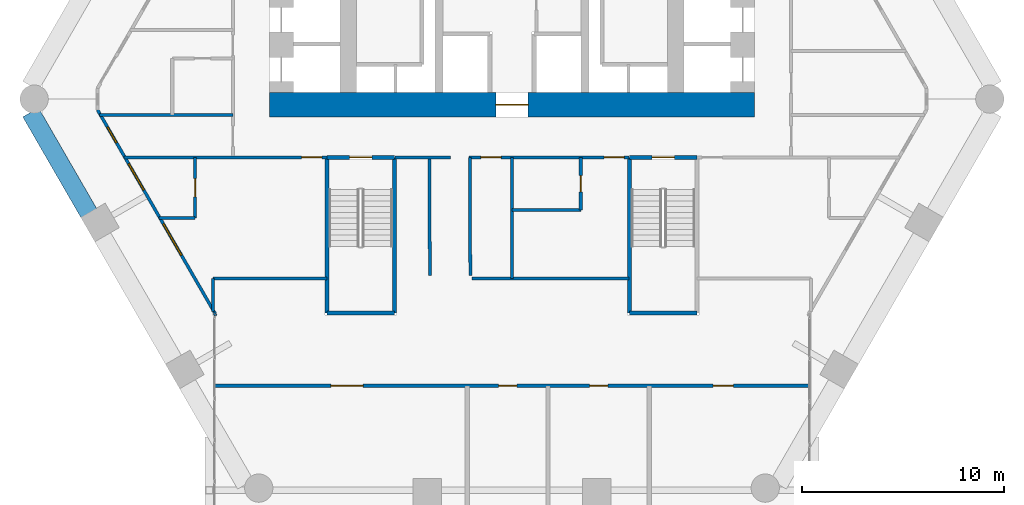
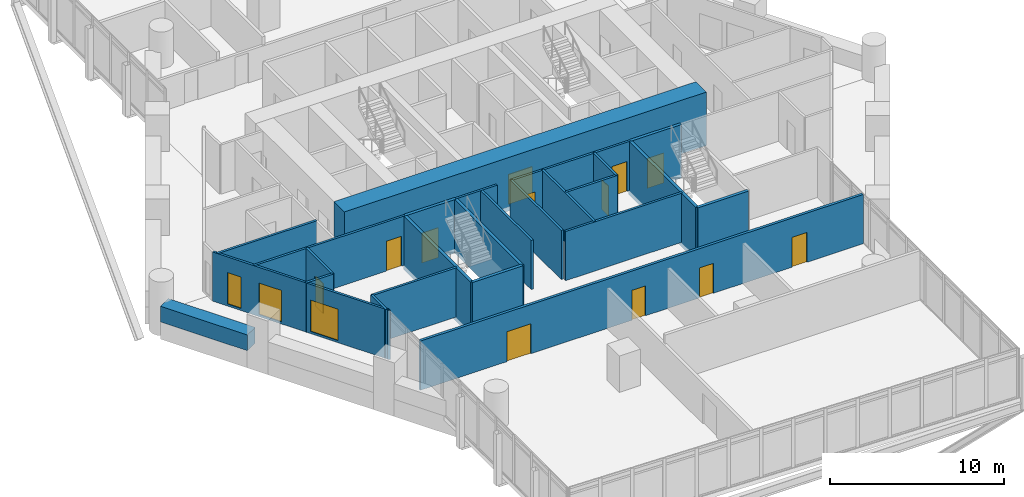
# One storey, part 30 of 38: 26 walls, 12 doors, 3 windows, 15 openings.
"""IFC4 building model written with IfcOpenShell, lengths in metres."""

import ifcopenshell
import ifcopenshell.guid

model = None  # the IFC model being written
_history = None  # IfcOwnerHistory: only IFC2X3 demands one
_inside = {}  # id of a spatial element -> (the spatial element, [elements in it])
_under = {}  # id of a project, library or spatial element -> (it, [spatial elements below it])
_declared = {}  # id of a project -> (the project, [libraries it declares])
_typed = {}  # id of a type object -> (the type object, [elements of that type])
_made_of = {}  # id of a material, layer set ... -> (it, [elements and type objects made of it])


def new_model(schema):
    """Start an empty IFC model of exactly this schema.

    Asked for "IFC4X3", IfcOpenShell would pick the latest addendum, in which some entities
    have other attributes; the version numbers below select the first issue.
    IFC2X3 requires an IfcOwnerHistory on every rooted entity: one is made here for all.
    """
    global model, _history
    if schema == "IFC4X3":
        model = ifcopenshell.file(schema_version=(4, 3, 0, 0))
    else:
        model = ifcopenshell.file(schema=schema)
    _inside.clear()
    _under.clear()
    _declared.clear()
    _typed.clear()
    _made_of.clear()
    _history = None
    if model.schema == "IFC2X3":
        org = make("IfcOrganization", Name="unknown")
        user = make(
            "IfcPersonAndOrganization",
            ThePerson=make("IfcPerson", FamilyName="unknown"),
            TheOrganization=org,
        )
        app = make(
            "IfcApplication",
            ApplicationDeveloper=org,
            Version="unknown",
            ApplicationFullName="unknown",
            ApplicationIdentifier="unknown",
        )
        _history = make(
            "IfcOwnerHistory",
            OwningUser=user,
            OwningApplication=app,
            ChangeAction="ADDED",
            CreationDate=0,
        )
    return model


def make(cls, **values):
    """One entity of the class cls with the attributes given. An attribute that is None is left unset."""
    return model.create_entity(
        cls, **{name: value for name, value in values.items() if value is not None}
    )


def rooted(cls, **values):
    """An entity with a GlobalId (a new one), such as an element, a storey or a relation."""
    return make(cls, GlobalId=ifcopenshell.guid.new(), OwnerHistory=_history, **values)


def si_unit(unit_type, name, prefix=None):
    """IfcSIUnit, for example si_unit("LENGTHUNIT", "METRE", prefix="MILLI")."""
    return make("IfcSIUnit", UnitType=unit_type, Prefix=prefix, Name=name)


def assignment(units):
    """IfcUnitAssignment: the units of a project."""
    return None if units is None else make("IfcUnitAssignment", Units=units)


def point(xyz):
    """IfcCartesianPoint."""
    return None if xyz is None else make("IfcCartesianPoint", Coordinates=xyz)


def direction(xyz):
    """IfcDirection."""
    return None if xyz is None else make("IfcDirection", DirectionRatios=xyz)


def frame(location, z_axis=None, x_axis=None):
    """IfcAxis2Placement3D, a coordinate frame: its origin and axes. An axis left out is left unset."""
    return make(
        "IfcAxis2Placement3D",
        Location=point(location),
        Axis=direction(z_axis),
        RefDirection=direction(x_axis),
    )


def frame_2d(location, x_axis=None):
    """IfcAxis2Placement2D, a coordinate frame in the plane: its origin and x axis."""
    return make(
        "IfcAxis2Placement2D", Location=point(location), RefDirection=direction(x_axis)
    )


def origin():
    """The frame at (0, 0, 0) with its axes left unset."""
    return frame((0.0, 0.0, 0.0))


def place(relative_to, where):
    """IfcLocalPlacement: puts the frame where relative to a parent placement (None: the world)."""
    return make(
        "IfcLocalPlacement", PlacementRelTo=relative_to, RelativePlacement=where
    )


def context(
    kind, dimensions, precision=None, world=None, true_north=None, identifier=None
):
    """IfcGeometricRepresentationContext, for example the 3D "Model" context."""
    return make(
        "IfcGeometricRepresentationContext",
        ContextIdentifier=identifier,
        ContextType=kind,
        CoordinateSpaceDimension=dimensions,
        Precision=precision,
        WorldCoordinateSystem=world,
        TrueNorth=true_north,
    )


def subcontext(parent, identifier, kind, view, scale=None):
    """IfcGeometricRepresentationSubContext, for example "Body" below "Model"."""
    return make(
        "IfcGeometricRepresentationSubContext",
        ContextIdentifier=identifier,
        ContextType=kind,
        ParentContext=parent,
        TargetScale=scale,
        TargetView=view,
    )


def project(units=None, contexts=None):
    """IfcProject with its units and contexts."""
    return rooted(
        "IfcProject",
        Name="project",
        RepresentationContexts=contexts,
        UnitsInContext=assignment(units),
    )


def spatial(cls, under=None, at=None, **own):
    """A site, building, storey or space (cls), placed at a placement, below another one or the project."""
    s = rooted(cls, ObjectPlacement=at, **own)
    if under is not None:
        _under.setdefault(under.id(), (under, []))[1].append(s)
    return s


def profile(cls, at=None, kind="AREA", **sizes):
    """A parametric profile (cls). Its sizes go by their IFC names, for example OverallWidth=200.0."""
    return make(cls, ProfileType=kind, Position=at, **sizes)


def rectangle(**sizes):
    """IfcRectangleProfileDef."""
    return profile("IfcRectangleProfileDef", **sizes)


def extrude(swept, where, along, depth):
    """IfcExtrudedAreaSolid: the profile swept, set in the frame where, extruded along a direction by depth."""
    return make(
        "IfcExtrudedAreaSolid",
        SweptArea=swept,
        Position=where,
        ExtrudedDirection=direction(along),
        Depth=depth,
    )


def shape(context_of_items, identifier, shape_type, items):
    """IfcShapeRepresentation: the items that make up one representation, for example the "Body"."""
    return make(
        "IfcShapeRepresentation",
        ContextOfItems=context_of_items,
        RepresentationIdentifier=identifier,
        RepresentationType=shape_type,
        Items=items,
    )


def material(Name=None, Category=None):
    """IfcMaterial."""
    return make("IfcMaterial", Name=Name, Category=Category)


def layer(
    of_material, thickness, ventilated=None, Name=None, Category=None, Priority=None
):
    """IfcMaterialLayer: one layer of a wall or slab, of a material (None: an air gap)."""
    return make(
        "IfcMaterialLayer",
        Material=of_material,
        LayerThickness=thickness,
        IsVentilated=ventilated,
        Name=Name,
        Category=Category,
        Priority=Priority,
    )


def layer_set(layers, Name=None):
    """IfcMaterialLayerSet."""
    return make("IfcMaterialLayerSet", MaterialLayers=layers, LayerSetName=Name)


def made_of(thing, what):
    """Note that an element or type object is made of a material, layer set ...; save() writes the relation."""
    if what is not None:
        _made_of.setdefault(what.id(), (what, []))[1].append(thing)
    return thing


def type_object(cls, material=None, **own):
    """A type object (cls), such as IfcWallType, which elements share."""
    return made_of(rooted(cls, **own), material)


def element(
    cls,
    number,
    at=None,
    inside=None,
    cuts=None,
    type_object=None,
    material=None,
    context=None,
    identifier="Body",
    shape_type=None,
    held_by="IfcProductDefinitionShape",
    body=None,
    shapes=None,
    **own,
):
    """One element of the class cls, such as IfcWall. Its Tag is "e" and its number.

    at: its placement. inside: the storey or other place that contains it. cuts: it is an
    opening in that element (IfcRelVoidsElement). A single representation is given by context,
    identifier, shape_type and body (its items); several are given by shapes. held_by: the class
    of the entity that holds the representations. save() writes the other relations.
    """
    e = rooted(cls, Tag="e%d" % number, ObjectPlacement=at, **own)
    if body is not None:
        shapes = [shape(context, identifier, shape_type, body)]
    if shapes is not None:
        e.Representation = make(held_by, Representations=shapes)
    if inside is not None:
        _inside.setdefault(inside.id(), (inside, []))[1].append(e)
    if cuts is not None:
        rooted(
            "IfcRelVoidsElement", RelatingBuildingElement=cuts, RelatedOpeningElement=e
        )
    if type_object is not None:
        _typed.setdefault(type_object.id(), (type_object, []))[1].append(e)
    return made_of(e, material)


def fill(opening, filler):
    """IfcRelFillsElement: the door or window that sits in an opening."""
    return rooted(
        "IfcRelFillsElement",
        RelatingOpeningElement=opening,
        RelatedBuildingElement=filler,
    )


def aggregate(whole, parts):
    """IfcRelAggregates: a whole, such as a stair, and the parts it consists of."""
    return rooted("IfcRelAggregates", RelatingObject=whole, RelatedObjects=parts)


def save(model, path):
    """Write the relations noted so far, then the file.

    IfcRelAggregates (storeys below a building ...), IfcRelContainedInSpatialStructure (elements
    in a storey), IfcRelDefinesByType, IfcRelAssociatesMaterial and IfcRelDeclares: one each for
    every whole, place, type object, material and project.
    """
    for whole, parts in _under.values():
        aggregate(whole, parts)
    for where, things in _inside.values():
        rooted(
            "IfcRelContainedInSpatialStructure",
            RelatedElements=things,
            RelatingStructure=where,
        )
    for kind, things in _typed.values():
        rooted("IfcRelDefinesByType", RelatedObjects=things, RelatingType=kind)
    for what, things in _made_of.values():
        rooted("IfcRelAssociatesMaterial", RelatedObjects=things, RelatingMaterial=what)
    for by, libraries in _declared.values():
        rooted("IfcRelDeclares", RelatingContext=by, RelatedDefinitions=libraries)
    model.write(path)


model = new_model("IFC4")

# Units and contexts
model_context = context("Model", 3, precision=1e-05, world=origin(), true_north=direction((0.0, 1.0)))
body_context = subcontext(model_context, "Body", "Model", "MODEL_VIEW")
ifc_project = project(units=[si_unit("LENGTHUNIT", "METRE"), si_unit("AREAUNIT", "SQUARE_METRE"), si_unit("VOLUMEUNIT", "CUBIC_METRE"), si_unit("PLANEANGLEUNIT", "RADIAN"), si_unit("MASSUNIT", "GRAM", prefix="KILO")], contexts=[model_context])

# Site, building, storey
site_placement = place(None, origin())
site = spatial("IfcSite", under=ifc_project, at=site_placement, CompositionType="ELEMENT")
building_placement = place(site_placement, origin())
building = spatial("IfcBuilding", under=site, at=building_placement, Name="Ostrander Bayou Hotel Tower", CompositionType="ELEMENT")
storey_placement = place(building_placement, frame((0.0, 0.0, 65.5)))
storey = spatial("IfcBuildingStorey", under=building, at=storey_placement, Name="L16", CompositionType="ELEMENT", Elevation=65.5)

# Wall, opening, door
ifc_material_1 = material(Name="Concrete f'c 70 MPa", Category="concrete")
ifc_layer_1 = layer(ifc_material_1, 1.199951171875)
ifc_layer_set_1 = layer_set([ifc_layer_1], Name="CW1 core wall 1200 mm f'c 70 MPa")
wall_type_1 = type_object("IfcWallType", Name="CW1 core wall 1200 mm f'c 70 MPa", PredefinedType="SHEAR", material=ifc_layer_set_1)
wall_1_placement = place(storey_placement, frame((-12.0, -1.10009765625, -0.300048828125), z_axis=(0.0, 0.0, 1.0), x_axis=(1.0, 0.0, 0.0)))
wall_1 = element("IfcWall", 1, at=wall_1_placement, inside=storey, type_object=wall_type_1, Name="CW1 L16 S", PredefinedType="SHEAR", context=body_context, shape_type="SweptSolid", body=[
    extrude(rectangle(XDim=24.0, YDim=1.199951171875, at=frame_2d((12.0, 0.0))), origin(), (0.0, 0.0, 1.0), 3.75),
])
opening_1_placement = place(wall_1_placement, frame((11.199951171875, 0.0, 0.0)))
opening_1 = element("IfcOpeningElement", 2, at=opening_1_placement, cuts=wall_1, Name="Opening T16-001", PredefinedType="OPENING", context=body_context, shape_type="SweptSolid", body=[
    extrude(rectangle(XDim=1.60009765625, YDim=2.10009765625, at=frame_2d((0.800048828125, 1.050048828125))), frame((0.0, 0.60009765625, 0.0), z_axis=(0.0, -1.0, 0.0), x_axis=(1.0, 0.0, 0.0)), (0.0, 0.0, 1.0), 1.199951171875),
])
ifc_material_2 = material(Name="Timber door leaf", Category="wood")
door_type_1 = type_object("IfcDoorType", Name="D13 double door 1600 x 2100 mm, 1 hour", OperationType="SINGLE_SWING_LEFT", PredefinedType="DOOR", material=ifc_material_2)
door_1_placement = place(opening_1_placement, origin())
door_1 = element("IfcDoor", 3, at=door_1_placement, inside=storey, type_object=door_type_1, Name="dr:L16:001", OperationType="DOUBLE_DOOR_SINGLE_SWING", OverallHeight=2.10009765625, OverallWidth=1.60009765625, PredefinedType="DOOR", context=body_context, shape_type="SweptSolid", body=[
    extrude(rectangle(XDim=1.60009765625, YDim=2.10009765625, at=frame_2d((0.800048828125, 1.050048828125))), frame((0.0, 0.02490234375, 0.0), z_axis=(0.0, -1.0, 0.0), x_axis=(1.0, 0.0, 0.0)), (0.0, 0.0, 1.0), 0.050048828125),
])
fill(opening_1, door_1)

# Wall, openings, windows
ifc_material_3 = material(Name="Aluminium framed insulated wall", Category="aluminium")
ifc_layer_2 = layer(ifc_material_3, 0.14990234375)
ifc_layer_set_2 = layer_set([ifc_layer_2], Name="GW1 glass-line wall 150 mm")
wall_type_2 = type_object("IfcWallType", Name="GW1 glass-line wall 150 mm", PredefinedType="SOLIDWALL", material=ifc_layer_set_2)
wall_2_placement = place(storey_placement, frame((-20.49560546875, -1.350830078125, 0.0), z_axis=(0.0, 0.0, 1.0), x_axis=(0.500010091595, -0.866019577321, 0.0)))
wall_2 = element("IfcWall", 4, at=wall_2_placement, inside=storey, type_object=wall_type_2, Name="GW1 L16 SW 1", PredefinedType="SOLIDWALL", context=body_context, shape_type="SweptSolid", body=[
    extrude(rectangle(XDim=11.633056640625, YDim=0.14990234375, at=frame_2d((5.81640625, 0.0))), origin(), (0.0, 0.0, 1.0), 3.449951171875),
])
opening_2_placement = place(wall_2_placement, frame((0.97802734375, 0.0, 0.14990234375)))
opening_2 = element("IfcOpeningElement", 5, at=opening_2_placement, cuts=wall_2, Name="Opening W15", PredefinedType="OPENING", context=body_context, shape_type="SweptSolid", body=[
    extrude(rectangle(XDim=0.89990234375, YDim=2.199951171875, at=frame_2d((0.449951171875, 1.10009765625))), frame((0.0, 0.074951171875, 0.0), z_axis=(0.0, -1.0, 0.0), x_axis=(1.0, 0.0, 0.0)), (0.0, 0.0, 1.0), 0.14990234375),
])
opening_3_placement = place(wall_2_placement, frame((3.077880859375, 0.0, 0.14990234375)))
opening_3 = element("IfcOpeningElement", 6, at=opening_3_placement, cuts=wall_2, Name="Opening W11", PredefinedType="OPENING", context=body_context, shape_type="SweptSolid", body=[
    extrude(rectangle(XDim=1.5, YDim=2.199951171875, at=frame_2d((0.75, 1.10009765625))), frame((0.0, 0.074951171875, 0.0), z_axis=(0.0, -1.0, 0.0), x_axis=(1.0, 0.0, 0.0)), (0.0, 0.0, 1.0), 0.14990234375),
])
opening_4_placement = place(wall_2_placement, frame((6.500732421875, 0.0, 0.14990234375)))
opening_4 = element("IfcOpeningElement", 7, at=opening_4_placement, cuts=wall_2, Name="Opening W7", PredefinedType="OPENING", context=body_context, shape_type="SweptSolid", body=[
    extrude(rectangle(XDim=1.800048828125, YDim=2.199951171875, at=frame_2d((0.89990234375, 1.10009765625))), frame((0.0, 0.074951171875, 0.0), z_axis=(0.0, -1.0, 0.0), x_axis=(1.0, 0.0, 0.0)), (0.0, 0.0, 1.0), 0.14990234375),
])
ifc_material_4 = material(Name="Aluminium and clear glass", Category="aluminium")
window_type_1 = type_object("IfcWindowType", Name="W11 fixed window 1500 mm, bath bay, zone 1", PartitioningType="SINGLE_PANEL", PredefinedType="WINDOW", material=ifc_material_4)
window_1_placement = place(opening_3_placement, origin())
window_1 = element("IfcWindow", 8, at=window_1_placement, inside=storey, type_object=window_type_1, Name="W11 L16 SW 1", OverallHeight=2.199951171875, OverallWidth=1.5, PartitioningType="SINGLE_PANEL", PredefinedType="WINDOW", context=body_context, shape_type="SweptSolid", body=[
    extrude(rectangle(XDim=1.5, YDim=2.199951171875, at=frame_2d((0.75, 1.10009765625))), frame((0.0, 0.030029296875, 0.0), z_axis=(0.0, -1.0, 0.0), x_axis=(1.0, 0.0, 0.0)), (0.0, 0.0, 1.0), 0.06005859375),
])
fill(opening_3, window_1)
ifc_material_5 = material(Name="Aluminium and clear glass", Category="aluminium")
window_type_2 = type_object("IfcWindowType", Name="W15 window 900 mm, zone 1", PartitioningType="SINGLE_PANEL", PredefinedType="WINDOW", material=ifc_material_5)
window_2_placement = place(opening_2_placement, origin())
window_2 = element("IfcWindow", 9, at=window_2_placement, inside=storey, type_object=window_type_2, Name="W15 L16 SW 1", OverallHeight=2.199951171875, OverallWidth=0.89990234375, PartitioningType="SINGLE_PANEL", PredefinedType="WINDOW", context=body_context, shape_type="SweptSolid", body=[
    extrude(rectangle(XDim=0.89990234375, YDim=2.199951171875, at=frame_2d((0.449951171875, 1.10009765625))), frame((0.0, 0.030029296875, 0.0), z_axis=(0.0, -1.0, 0.0), x_axis=(1.0, 0.0, 0.0)), (0.0, 0.0, 1.0), 0.06005859375),
])
fill(opening_2, window_2)
ifc_material_6 = material(Name="Aluminium and clear glass", Category="aluminium")
window_type_3 = type_object("IfcWindowType", Name="W7 fixed window 1800 mm, bar storeys, zone 1", PartitioningType="SINGLE_PANEL", PredefinedType="WINDOW", material=ifc_material_6)
window_3_placement = place(opening_4_placement, origin())
window_3 = element("IfcWindow", 10, at=window_3_placement, inside=storey, type_object=window_type_3, Name="W7 L16 SW 2", OverallHeight=2.199951171875, OverallWidth=1.800048828125, PartitioningType="SINGLE_PANEL", PredefinedType="WINDOW", context=body_context, shape_type="SweptSolid", body=[
    extrude(rectangle(XDim=1.800048828125, YDim=2.199951171875, at=frame_2d((0.89990234375, 1.10009765625))), frame((0.0, 0.030029296875, 0.0), z_axis=(0.0, -1.0, 0.0), x_axis=(1.0, 0.0, 0.0)), (0.0, 0.0, 1.0), 0.06005859375),
])
fill(opening_4, window_3)

# Walls
wall_3_placement = place(storey_placement, frame((-14.678955078125, -11.42529296875, 0.0), z_axis=(0.0, 0.0, 1.0), x_axis=(-0.338543167143, -0.940950861619, 0.0)))
element("IfcWall", 11, at=wall_3_placement, inside=storey, type_object=wall_type_2, Name="GW1 L16 bar joint 1", PredefinedType="SOLIDWALL", context=body_context, shape_type="SweptSolid", body=[
    extrude(rectangle(XDim=0.09814453125, YDim=0.14990234375, at=frame_2d((0.049072265625, 0.0))), origin(), (0.0, 0.0, 1.0), 3.449951171875),
])
ifc_material_7 = material(Name="Limestone masonry", Category="masonry")
ifc_layer_3 = layer(ifc_material_7, 0.89990234375)
ifc_layer_set_3 = layer_set([ifc_layer_3], Name="PA2 limestone parapet 900 mm")
wall_type_3 = type_object("IfcWallType", Name="PA2 limestone parapet 900 mm", PredefinedType="PARAPET", material=ifc_layer_set_3)
wall_4_placement = place(storey_placement, frame((-23.8017578125, -1.47412109375, 0.0), z_axis=(0.0, 0.0, 1.0), x_axis=(0.499996461177, -0.866027446915, 0.0)))
element("IfcWall", 12, at=wall_4_placement, inside=storey, type_object=wall_type_3, Name="PA2 L16 SW-1", PredefinedType="PARAPET", context=body_context, shape_type="SweptSolid", body=[
    extrude(rectangle(XDim=5.7587890625, YDim=0.89990234375, at=frame_2d((2.87939453125, 0.0))), origin(), (0.0, 0.0, 1.0), 1.10009765625),
])

# Wall, openings, doors
ifc_material_8 = material(Name="Gypsum board partition", Category="finish")
ifc_layer_4 = layer(ifc_material_8, 0.175048828125)
ifc_layer_set_4 = layer_set([ifc_layer_4], Name="PT4 corridor wall 175 mm, 1 hour")
wall_type_4 = type_object("IfcWallType", Name="PT4 corridor wall 175 mm, 1 hour", PredefinedType="PARTITIONING", material=ifc_layer_set_4)
wall_5_placement = place(storey_placement, frame((-14.693115234375, -15.0, 0.0), z_axis=(0.0, 0.0, 1.0), x_axis=(1.0, 0.0, 0.0)))
wall_5 = element("IfcWall", 13, at=wall_5_placement, inside=storey, type_object=wall_type_4, Name="sw:L16:500", PredefinedType="PARTITIONING", context=body_context, shape_type="SweptSolid", body=[
    extrude(rectangle(XDim=29.38623046875, YDim=0.175048828125, at=frame_2d((14.693115234375, 0.0))), origin(), (0.0, 0.0, 1.0), 3.449951171875),
])
opening_5_placement = place(wall_5_placement, frame((14.030517578125, 0.0, 0.0)))
opening_5 = element("IfcOpeningElement", 14, at=opening_5_placement, cuts=wall_5, Name="Opening T16-1200", PredefinedType="OPENING", context=body_context, shape_type="SweptSolid", body=[
    extrude(rectangle(XDim=0.89990234375, YDim=2.10009765625, at=frame_2d((0.449951171875, 1.050048828125))), frame((0.0, 0.08740234375, 0.0), z_axis=(0.0, -1.0, 0.0), x_axis=(1.0, 0.0, 0.0)), (0.0, 0.0, 1.0), 0.175048828125),
])
opening_6_placement = place(wall_5_placement, frame((18.530517578125, 0.0, 0.0)))
opening_6 = element("IfcOpeningElement", 15, at=opening_6_placement, cuts=wall_5, Name="Opening T16-1201", PredefinedType="OPENING", context=body_context, shape_type="SweptSolid", body=[
    extrude(rectangle(XDim=0.89990234375, YDim=2.10009765625, at=frame_2d((0.449951171875, 1.050048828125))), frame((0.0, 0.08740234375, 0.0), z_axis=(0.0, -1.0, 0.0), x_axis=(1.0, 0.0, 0.0)), (0.0, 0.0, 1.0), 0.175048828125),
])
opening_7_placement = place(wall_5_placement, frame((24.637939453125, 0.0, 0.0)))
opening_7 = element("IfcOpeningElement", 16, at=opening_7_placement, cuts=wall_5, Name="Opening T16-1202", PredefinedType="OPENING", context=body_context, shape_type="SweptSolid", body=[
    extrude(rectangle(XDim=1.0, YDim=2.10009765625, at=frame_2d((0.5, 1.050048828125))), frame((0.0, 0.08740234375, 0.0), z_axis=(0.0, -1.0, 0.0), x_axis=(1.0, 0.0, 0.0)), (0.0, 0.0, 1.0), 0.175048828125),
])
opening_8_placement = place(wall_5_placement, frame((5.735595703125, 0.0, 0.0)))
opening_8 = element("IfcOpeningElement", 17, at=opening_8_placement, cuts=wall_5, Name="Opening T16-1203", PredefinedType="OPENING", context=body_context, shape_type="SweptSolid", body=[
    extrude(rectangle(XDim=1.60009765625, YDim=2.10009765625, at=frame_2d((0.800048828125, 1.050048828125))), frame((0.0, 0.08740234375, 0.0), z_axis=(0.0, -1.0, 0.0), x_axis=(1.0, 0.0, 0.0)), (0.0, 0.0, 1.0), 0.175048828125),
])
door_2_placement = place(opening_8_placement, origin())
door_2 = element("IfcDoor", 18, at=door_2_placement, inside=storey, type_object=door_type_1, Name="dr:L16:1203", OperationType="DOUBLE_DOOR_SINGLE_SWING", OverallHeight=2.10009765625, OverallWidth=1.60009765625, PredefinedType="DOOR", context=body_context, shape_type="SweptSolid", body=[
    extrude(rectangle(XDim=1.60009765625, YDim=2.10009765625, at=frame_2d((0.800048828125, 1.050048828125))), frame((0.0, 0.02490234375, 0.0), z_axis=(0.0, -1.0, 0.0), x_axis=(1.0, 0.0, 0.0)), (0.0, 0.0, 1.0), 0.050048828125),
])
fill(opening_8, door_2)
ifc_material_9 = material(Name="Timber door leaf", Category="wood")
door_type_2 = type_object("IfcDoorType", Name="D8 room door 900 x 2100 mm", OperationType="SINGLE_SWING_LEFT", PredefinedType="DOOR", material=ifc_material_9)
door_3_placement = place(opening_5_placement, origin())
door_3 = element("IfcDoor", 19, at=door_3_placement, inside=storey, type_object=door_type_2, Name="dr:L16:1200", OperationType="SINGLE_SWING_RIGHT", OverallHeight=2.10009765625, OverallWidth=0.89990234375, PredefinedType="DOOR", context=body_context, shape_type="SweptSolid", body=[
    extrude(rectangle(XDim=0.89990234375, YDim=2.10009765625, at=frame_2d((0.449951171875, 1.050048828125))), frame((0.0, 0.02490234375, 0.0), z_axis=(0.0, -1.0, 0.0), x_axis=(1.0, 0.0, 0.0)), (0.0, 0.0, 1.0), 0.050048828125),
])
fill(opening_5, door_3)
door_4_placement = place(opening_6_placement, origin())
door_4 = element("IfcDoor", 20, at=door_4_placement, inside=storey, type_object=door_type_2, Name="dr:L16:1201", OperationType="SINGLE_SWING_LEFT", OverallHeight=2.10009765625, OverallWidth=0.89990234375, PredefinedType="DOOR", context=body_context, shape_type="SweptSolid", body=[
    extrude(rectangle(XDim=0.89990234375, YDim=2.10009765625, at=frame_2d((0.449951171875, 1.050048828125))), frame((0.0, 0.02490234375, 0.0), z_axis=(0.0, -1.0, 0.0), x_axis=(1.0, 0.0, 0.0)), (0.0, 0.0, 1.0), 0.050048828125),
])
fill(opening_6, door_4)
ifc_material_10 = material(Name="Timber door leaf", Category="wood")
door_type_3 = type_object("IfcDoorType", Name="D9 service door 1000 x 2100 mm, 30 minute", OperationType="SINGLE_SWING_LEFT", PredefinedType="DOOR", material=ifc_material_10)
door_5_placement = place(opening_7_placement, origin())
door_5 = element("IfcDoor", 21, at=door_5_placement, inside=storey, type_object=door_type_3, Name="dr:L16:1202", OperationType="SINGLE_SWING_RIGHT", OverallHeight=2.10009765625, OverallWidth=1.0, PredefinedType="DOOR", context=body_context, shape_type="SweptSolid", body=[
    extrude(rectangle(XDim=1.0, YDim=2.10009765625, at=frame_2d((0.5, 1.050048828125))), frame((0.0, 0.02490234375, 0.0), z_axis=(0.0, -1.0, 0.0), x_axis=(1.0, 0.0, 0.0)), (0.0, 0.0, 1.0), 0.050048828125),
])
fill(opening_7, door_5)

# Walls
ifc_material_11 = material(Name="Gypsum board partition", Category="finish")
ifc_layer_5 = layer(ifc_material_11, 0.14990234375)
ifc_layer_set_5 = layer_set([ifc_layer_5], Name="PT8 service band wall 150 mm, 1 hour")
wall_type_5 = type_object("IfcWallType", Name="PT8 service band wall 150 mm, 1 hour", PredefinedType="PARTITIONING", material=ifc_layer_set_5)
wall_6_placement = place(storey_placement, frame((-14.784912109375, -9.679931640625, 0.0), z_axis=(0.0, 0.0, 1.0), x_axis=(1.0, 0.0, 0.0)))
element("IfcWall", 22, at=wall_6_placement, inside=storey, type_object=wall_type_5, Name="gw:L16:001", PredefinedType="PARTITIONING", context=body_context, shape_type="SweptSolid", body=[
    extrude(rectangle(XDim=5.625, YDim=0.14990234375, at=frame_2d((2.8125, 0.0))), origin(), (0.0, 0.0, 1.0), 3.449951171875),
])
wall_7_placement = place(storey_placement, frame((-1.97998046875, -9.679931640625, 0.0), z_axis=(0.0, 0.0, 1.0), x_axis=(1.0, 0.0, 0.0)))
element("IfcWall", 23, at=wall_7_placement, inside=storey, type_object=wall_type_5, Name="gw:L16:002", PredefinedType="PARTITIONING", context=body_context, shape_type="SweptSolid", body=[
    extrude(rectangle(XDim=7.77001953125, YDim=0.14990234375, at=frame_2d((3.885009765625, 0.0))), origin(), (0.0, 0.0, 1.0), 3.449951171875),
])
wall_8_placement = place(storey_placement, frame((-17.458984375, -6.699951171875, 0.0), z_axis=(0.0, 0.0, 1.0), x_axis=(1.0, 0.0, 0.0)))
element("IfcWall", 24, at=wall_8_placement, inside=storey, type_object=wall_type_5, Name="gw:L16:004", PredefinedType="PARTITIONING", context=body_context, shape_type="SweptSolid", body=[
    extrude(rectangle(XDim=1.7939453125, YDim=0.14990234375, at=frame_2d((0.89697265625, 0.0))), origin(), (0.0, 0.0, 1.0), 3.449951171875),
])
wall_9_placement = place(storey_placement, frame((0.0, -6.300048828125, 0.0), z_axis=(0.0, 0.0, 1.0), x_axis=(1.0, 0.0, 0.0)))
element("IfcWall", 25, at=wall_9_placement, inside=storey, type_object=wall_type_5, Name="gw:L16:006", PredefinedType="PARTITIONING", context=body_context, shape_type="SweptSolid", body=[
    extrude(rectangle(XDim=3.39990234375, YDim=0.14990234375, at=frame_2d((1.699951171875, 0.0))), origin(), (0.0, 0.0, 1.0), 3.449951171875),
])

# Wall, opening, door
wall_10_placement = place(storey_placement, frame((-19.19091796875, -3.699951171875, 0.0), z_axis=(0.0, 0.0, 1.0), x_axis=(1.0, 0.0, 0.0)))
wall_10 = element("IfcWall", 26, at=wall_10_placement, inside=storey, type_object=wall_type_5, Name="gw:L16:007", PredefinedType="PARTITIONING", context=body_context, shape_type="SweptSolid", body=[
    extrude(rectangle(XDim=10.031005859375, YDim=0.14990234375, at=frame_2d((5.015625, 0.0))), origin(), (0.0, 0.0, 1.0), 3.449951171875),
])
opening_9_placement = place(wall_10_placement, frame((8.791015625, 0.0, 0.0)))
opening_9 = element("IfcOpeningElement", 27, at=opening_9_placement, cuts=wall_10, Name="Opening T16-401", PredefinedType="OPENING", context=body_context, shape_type="SweptSolid", body=[
    extrude(rectangle(XDim=1.0, YDim=2.10009765625, at=frame_2d((0.5, 1.050048828125))), frame((0.0, 0.074951171875, 0.0), z_axis=(0.0, -1.0, 0.0), x_axis=(1.0, 0.0, 0.0)), (0.0, 0.0, 1.0), 0.14990234375),
])
ifc_material_12 = material(Name="Timber door leaf", Category="wood")
door_type_4 = type_object("IfcDoorType", Name="D1 guest room door 1000 x 2100 mm, 30 minute", OperationType="SINGLE_SWING_LEFT", PredefinedType="DOOR", material=ifc_material_12)
door_6_placement = place(opening_9_placement, origin())
door_6 = element("IfcDoor", 28, at=door_6_placement, inside=storey, type_object=door_type_4, Name="dr:L16:401", OperationType="SINGLE_SWING_RIGHT", OverallHeight=2.10009765625, OverallWidth=1.0, PredefinedType="DOOR", context=body_context, shape_type="SweptSolid", body=[
    extrude(rectangle(XDim=1.0, YDim=2.10009765625, at=frame_2d((0.5, 1.050048828125))), frame((0.0, 0.02490234375, 0.0), z_axis=(0.0, -1.0, 0.0), x_axis=(1.0, 0.0, 0.0)), (0.0, 0.0, 1.0), 0.050048828125),
])
fill(opening_9, door_6)

# Wall
wall_11_placement = place(storey_placement, frame((-5.7900390625, -3.699951171875, 0.0), z_axis=(0.0, 0.0, 1.0), x_axis=(1.0, 0.0, 0.0)))
element("IfcWall", 29, at=wall_11_placement, inside=storey, type_object=wall_type_5, Name="gw:L16:008", PredefinedType="PARTITIONING", context=body_context, shape_type="SweptSolid", body=[
    extrude(rectangle(XDim=2.7451171875, YDim=0.14990234375, at=frame_2d((1.37255859375, 0.0))), origin(), (0.0, 0.0, 1.0), 3.449951171875),
])

# Wall, openings, doors
wall_12_placement = place(storey_placement, frame((-2.125, -3.699951171875, 0.0), z_axis=(0.0, 0.0, 1.0), x_axis=(1.0, 0.0, 0.0)))
wall_12 = element("IfcWall", 30, at=wall_12_placement, inside=storey, type_object=wall_type_5, Name="gw:L16:009", PredefinedType="PARTITIONING", context=body_context, shape_type="SweptSolid", body=[
    extrude(rectangle(XDim=7.9150390625, YDim=0.14990234375, at=frame_2d((3.95751953125, 0.0))), origin(), (0.0, 0.0, 1.0), 3.449951171875),
])
opening_10_placement = place(wall_12_placement, frame((0.5830078125, 0.0, 0.0)))
opening_10 = element("IfcOpeningElement", 31, at=opening_10_placement, cuts=wall_12, Name="Opening T16-400", PredefinedType="OPENING", context=body_context, shape_type="SweptSolid", body=[
    extrude(rectangle(XDim=1.0, YDim=2.10009765625, at=frame_2d((0.5, 1.050048828125))), frame((0.0, 0.074951171875, 0.0), z_axis=(0.0, -1.0, 0.0), x_axis=(1.0, 0.0, 0.0)), (0.0, 0.0, 1.0), 0.14990234375),
])
opening_11_placement = place(wall_12_placement, frame((6.675048828125, 0.0, 0.0)))
opening_11 = element("IfcOpeningElement", 32, at=opening_11_placement, cuts=wall_12, Name="Opening T16-403", PredefinedType="OPENING", context=body_context, shape_type="SweptSolid", body=[
    extrude(rectangle(XDim=1.0, YDim=2.10009765625, at=frame_2d((0.5, 1.050048828125))), frame((0.0, 0.074951171875, 0.0), z_axis=(0.0, -1.0, 0.0), x_axis=(1.0, 0.0, 0.0)), (0.0, 0.0, 1.0), 0.14990234375),
])
door_7_placement = place(opening_11_placement, origin())
door_7 = element("IfcDoor", 33, at=door_7_placement, inside=storey, type_object=door_type_4, Name="dr:L16:403", OperationType="SINGLE_SWING_RIGHT", OverallHeight=2.10009765625, OverallWidth=1.0, PredefinedType="DOOR", context=body_context, shape_type="SweptSolid", body=[
    extrude(rectangle(XDim=1.0, YDim=2.10009765625, at=frame_2d((0.5, 1.050048828125))), frame((0.0, 0.02490234375, 0.0), z_axis=(0.0, -1.0, 0.0), x_axis=(1.0, 0.0, 0.0)), (0.0, 0.0, 1.0), 0.050048828125),
])
fill(opening_11, door_7)
door_8_placement = place(opening_10_placement, origin())
door_8 = element("IfcDoor", 34, at=door_8_placement, inside=storey, type_object=door_type_3, Name="dr:L16:400", OperationType="SINGLE_SWING_RIGHT", OverallHeight=2.10009765625, OverallWidth=1.0, PredefinedType="DOOR", context=body_context, shape_type="SweptSolid", body=[
    extrude(rectangle(XDim=1.0, YDim=2.10009765625, at=frame_2d((0.5, 1.050048828125))), frame((0.0, 0.02490234375, 0.0), z_axis=(0.0, -1.0, 0.0), x_axis=(1.0, 0.0, 0.0)), (0.0, 0.0, 1.0), 0.050048828125),
])
fill(opening_10, door_8)

# Wall
wall_13_placement = place(storey_placement, frame((-20.404052734375, -1.60009765625, 0.0), z_axis=(0.0, 0.0, 1.0), x_axis=(1.0, 0.0, 0.0)))
element("IfcWall", 35, at=wall_13_placement, inside=storey, type_object=wall_type_5, Name="gw:L16:011", PredefinedType="PARTITIONING", context=body_context, shape_type="SweptSolid", body=[
    extrude(rectangle(XDim=6.60400390625, YDim=0.14990234375, at=frame_2d((3.302001953125, 0.0))), origin(), (0.0, 0.0, 1.0), 3.449951171875),
])

# Wall, opening, door
wall_14_placement = place(storey_placement, frame((3.39990234375, -6.300048828125, 0.0), z_axis=(0.0, 0.0, 1.0), x_axis=(0.0, 1.0, 0.0)))
wall_14 = element("IfcWall", 36, at=wall_14_placement, inside=storey, type_object=wall_type_5, Name="gw:L16:022", PredefinedType="PARTITIONING", context=body_context, shape_type="SweptSolid", body=[
    extrude(rectangle(XDim=2.60009765625, YDim=0.14990234375, at=frame_2d((1.300048828125, 0.0))), origin(), (0.0, 0.0, 1.0), 3.449951171875),
])
opening_12_placement = place(wall_14_placement, frame((0.89990234375, 0.0, 0.0)))
opening_12 = element("IfcOpeningElement", 37, at=opening_12_placement, cuts=wall_14, Name="Opening T16-404", PredefinedType="OPENING", context=body_context, shape_type="SweptSolid", body=[
    extrude(rectangle(XDim=0.800048828125, YDim=2.10009765625, at=frame_2d((0.39990234375, 1.050048828125))), frame((0.0, 0.074951171875, 0.0), z_axis=(0.0, -1.0, 0.0), x_axis=(1.0, 0.0, 0.0)), (0.0, 0.0, 1.0), 0.14990234375),
])
ifc_material_13 = material(Name="Timber door leaf", Category="wood")
door_type_5 = type_object("IfcDoorType", Name="D2 bathroom door 800 x 2100 mm", OperationType="SINGLE_SWING_LEFT", PredefinedType="DOOR", material=ifc_material_13)
door_9_placement = place(opening_12_placement, origin())
door_9 = element("IfcDoor", 38, at=door_9_placement, inside=storey, type_object=door_type_5, Name="dr:L16:404", OperationType="SINGLE_SWING_RIGHT", OverallHeight=2.10009765625, OverallWidth=0.800048828125, PredefinedType="DOOR", context=body_context, shape_type="SweptSolid", body=[
    extrude(rectangle(XDim=0.800048828125, YDim=2.10009765625, at=frame_2d((0.39990234375, 1.050048828125))), frame((0.0, 0.02490234375, 0.0), z_axis=(0.0, -1.0, 0.0), x_axis=(1.0, 0.0, 0.0)), (0.0, 0.0, 1.0), 0.050048828125),
])
fill(opening_12, door_9)

# Walls
wall_15_placement = place(storey_placement, frame((0.0, -9.679931640625, 0.0), z_axis=(0.0, 0.0, 1.0), x_axis=(0.0, 1.0, 0.0)))
element("IfcWall", 39, at=wall_15_placement, inside=storey, type_object=wall_type_5, Name="gw:L16:023", PredefinedType="PARTITIONING", context=body_context, shape_type="SweptSolid", body=[
    extrude(rectangle(XDim=5.97998046875, YDim=0.14990234375, at=frame_2d((2.989990234375, 0.0))), origin(), (0.0, 0.0, 1.0), 3.449951171875),
])
wall_16_placement = place(storey_placement, frame((-14.784912109375, -11.33203125, 0.0), z_axis=(0.0, 0.0, 1.0), x_axis=(0.0, 1.0, 0.0)))
element("IfcWall", 40, at=wall_16_placement, inside=storey, type_object=wall_type_5, Name="gw:L16:025", PredefinedType="PARTITIONING", context=body_context, shape_type="SweptSolid", body=[
    extrude(rectangle(XDim=1.652099609375, YDim=0.14990234375, at=frame_2d((0.826171875, 0.0))), origin(), (0.0, 0.0, 1.0), 3.449951171875),
])

# Wall, opening, door
wall_17_placement = place(storey_placement, frame((-15.6650390625, -6.699951171875, 0.0), z_axis=(0.0, 0.0, 1.0), x_axis=(0.0, 1.0, 0.0)))
wall_17 = element("IfcWall", 41, at=wall_17_placement, inside=storey, type_object=wall_type_5, Name="gw:L16:027", PredefinedType="PARTITIONING", context=body_context, shape_type="SweptSolid", body=[
    extrude(rectangle(XDim=3.0, YDim=0.14990234375, at=frame_2d((1.5, 0.0))), origin(), (0.0, 0.0, 1.0), 3.449951171875),
])
opening_13_placement = place(wall_17_placement, frame((1.050048828125, 0.0, 0.0)))
opening_13 = element("IfcOpeningElement", 42, at=opening_13_placement, cuts=wall_17, Name="Opening T16-402", PredefinedType="OPENING", context=body_context, shape_type="SweptSolid", body=[
    extrude(rectangle(XDim=0.89990234375, YDim=2.10009765625, at=frame_2d((0.449951171875, 1.050048828125))), frame((0.0, 0.074951171875, 0.0), z_axis=(0.0, -1.0, 0.0), x_axis=(1.0, 0.0, 0.0)), (0.0, 0.0, 1.0), 0.14990234375),
])
ifc_material_14 = material(Name="Timber door leaf", Category="wood")
door_type_6 = type_object("IfcDoorType", Name="D14 bathroom door 900 x 2100 mm", OperationType="SINGLE_SWING_LEFT", PredefinedType="DOOR", material=ifc_material_14)
door_10_placement = place(opening_13_placement, origin())
door_10 = element("IfcDoor", 43, at=door_10_placement, inside=storey, type_object=door_type_6, Name="dr:L16:402", OperationType="SINGLE_SWING_RIGHT", OverallHeight=2.10009765625, OverallWidth=0.89990234375, PredefinedType="DOOR", context=body_context, shape_type="SweptSolid", body=[
    extrude(rectangle(XDim=0.89990234375, YDim=2.10009765625, at=frame_2d((0.449951171875, 1.050048828125))), frame((0.0, 0.02490234375, 0.0), z_axis=(0.0, -1.0, 0.0), x_axis=(1.0, 0.0, 0.0)), (0.0, 0.0, 1.0), 0.050048828125),
])
fill(opening_13, door_10)

# Walls
wall_18_placement = place(storey_placement, frame((-2.06103515625, -9.5400390625, 0.0), z_axis=(0.0, 0.0, 1.0), x_axis=(-0.004096784315, 0.999991608144, 0.0)))
element("IfcWall", 44, at=wall_18_placement, inside=storey, type_object=wall_type_5, Name="gw:L16:029", PredefinedType="PARTITIONING", context=body_context, shape_type="SweptSolid", body=[
    extrude(rectangle(XDim=5.840087890625, YDim=0.14990234375, at=frame_2d((2.919921875, 0.0))), origin(), (0.0, 0.0, 1.0), 3.449951171875),
])
wall_19_placement = place(storey_placement, frame((-4.06103515625, -9.5400390625, 0.0), z_axis=(0.0, 0.0, 1.0), x_axis=(-0.004100383939, 0.99999159339, 0.0)))
element("IfcWall", 45, at=wall_19_placement, inside=storey, type_object=wall_type_5, Name="gw:L16:030", PredefinedType="PARTITIONING", context=body_context, shape_type="SweptSolid", body=[
    extrude(rectangle(XDim=5.8349609375, YDim=0.14990234375, at=frame_2d((2.91748046875, 0.0))), origin(), (0.0, 0.0, 1.0), 3.449951171875),
])

# Wall, opening, door
ifc_material_15 = material(Name="Concrete f'c 45 MPa", Category="concrete")
ifc_layer_6 = layer(ifc_material_15, 0.199951171875)
ifc_layer_set_6 = layer_set([ifc_layer_6], Name="SW5 stair enclosure wall 200 mm f'c 45 MPa")
wall_type_6 = type_object("IfcWallType", Name="SW5 stair enclosure wall 200 mm f'c 45 MPa", PredefinedType="SOLIDWALL", material=ifc_layer_set_6)
wall_20_placement = place(storey_placement, frame((5.800048828125, -3.699951171875, -0.300048828125), z_axis=(0.0, 0.0, 1.0), x_axis=(1.0, 0.0, 0.0)))
wall_20 = element("IfcWall", 46, at=wall_20_placement, inside=storey, type_object=wall_type_6, Name="cs:L16:015", PredefinedType="SOLIDWALL", context=body_context, shape_type="SweptSolid", body=[
    extrude(rectangle(XDim=3.349853515625, YDim=0.199951171875, at=frame_2d((1.6748046875, 0.0))), origin(), (0.0, 0.0, 1.0), 3.75),
])
opening_14_placement = place(wall_20_placement, frame((1.125, 0.0, 0.0)))
opening_14 = element("IfcOpeningElement", 47, at=opening_14_placement, cuts=wall_20, Name="Opening T16-007", PredefinedType="OPENING", context=body_context, shape_type="SweptSolid", body=[
    extrude(rectangle(XDim=1.10009765625, YDim=2.10009765625, at=frame_2d((0.550048828125, 1.050048828125))), frame((0.0, 0.10009765625, 0.0), z_axis=(0.0, -1.0, 0.0), x_axis=(1.0, 0.0, 0.0)), (0.0, 0.0, 1.0), 0.199951171875),
])
ifc_material_16 = material(Name="Timber door leaf", Category="wood")
door_type_7 = type_object("IfcDoorType", Name="D5 stair door 1100 x 2100 mm, 90 minute", OperationType="SINGLE_SWING_LEFT", PredefinedType="DOOR", material=ifc_material_16)
door_11_placement = place(opening_14_placement, origin())
door_11 = element("IfcDoor", 48, at=door_11_placement, inside=storey, type_object=door_type_7, Name="dr:L16:007", OperationType="SINGLE_SWING_LEFT", OverallHeight=2.10009765625, OverallWidth=1.10009765625, PredefinedType="DOOR", context=body_context, shape_type="SweptSolid", body=[
    extrude(rectangle(XDim=1.10009765625, YDim=2.10009765625, at=frame_2d((0.550048828125, 1.050048828125))), frame((0.0, 0.02490234375, 0.0), z_axis=(0.0, -1.0, 0.0), x_axis=(1.0, 0.0, 0.0)), (0.0, 0.0, 1.0), 0.050048828125),
])
fill(opening_14, door_11)

# Walls
wall_21_placement = place(storey_placement, frame((5.800048828125, -3.699951171875, -0.300048828125), z_axis=(0.0, 0.0, 1.0), x_axis=(0.0, -1.0, 0.0)))
element("IfcWall", 49, at=wall_21_placement, inside=storey, type_object=wall_type_6, Name="cs:L16:016", PredefinedType="SOLIDWALL", context=body_context, shape_type="SweptSolid", body=[
    extrude(rectangle(XDim=7.699951171875, YDim=0.199951171875, at=frame_2d((3.85009765625, 0.0))), origin(), (0.0, 0.0, 1.0), 3.75),
])
wall_22_placement = place(storey_placement, frame((5.800048828125, -11.39990234375, -0.300048828125), z_axis=(0.0, 0.0, 1.0), x_axis=(1.0, 0.0, 0.0)))
element("IfcWall", 50, at=wall_22_placement, inside=storey, type_object=wall_type_6, Name="cs:L16:018", PredefinedType="SOLIDWALL", context=body_context, shape_type="SweptSolid", body=[
    extrude(rectangle(XDim=3.349853515625, YDim=0.199951171875, at=frame_2d((1.6748046875, 0.0))), origin(), (0.0, 0.0, 1.0), 3.75),
])

# Wall, opening, door
wall_23_placement = place(storey_placement, frame((-9.14990234375, -3.699951171875, -0.300048828125), z_axis=(0.0, 0.0, 1.0), x_axis=(1.0, 0.0, 0.0)))
wall_23 = element("IfcWall", 51, at=wall_23_placement, inside=storey, type_object=wall_type_6, Name="cs:L16:019", PredefinedType="SOLIDWALL", context=body_context, shape_type="SweptSolid", body=[
    extrude(rectangle(XDim=3.349853515625, YDim=0.199951171875, at=frame_2d((1.6748046875, 0.0))), origin(), (0.0, 0.0, 1.0), 3.75),
])
opening_15_placement = place(wall_23_placement, frame((1.125, 0.0, 0.0)))
opening_15 = element("IfcOpeningElement", 52, at=opening_15_placement, cuts=wall_23, Name="Opening T16-008", PredefinedType="OPENING", context=body_context, shape_type="SweptSolid", body=[
    extrude(rectangle(XDim=1.10009765625, YDim=2.10009765625, at=frame_2d((0.550048828125, 1.050048828125))), frame((0.0, 0.10009765625, 0.0), z_axis=(0.0, -1.0, 0.0), x_axis=(1.0, 0.0, 0.0)), (0.0, 0.0, 1.0), 0.199951171875),
])
door_12_placement = place(opening_15_placement, origin())
door_12 = element("IfcDoor", 53, at=door_12_placement, inside=storey, type_object=door_type_7, Name="dr:L16:008", OperationType="SINGLE_SWING_LEFT", OverallHeight=2.10009765625, OverallWidth=1.10009765625, PredefinedType="DOOR", context=body_context, shape_type="SweptSolid", body=[
    extrude(rectangle(XDim=1.10009765625, YDim=2.10009765625, at=frame_2d((0.550048828125, 1.050048828125))), frame((0.0, 0.02490234375, 0.0), z_axis=(0.0, -1.0, 0.0), x_axis=(1.0, 0.0, 0.0)), (0.0, 0.0, 1.0), 0.050048828125),
])
fill(opening_15, door_12)

# Walls
for number, where, z_axis, x_axis, name in (
    (54, (-9.14990234375, -3.699951171875, -0.300048828125), (0.0, 0.0, 1.0), (0.0, -1.0, 0.0), "cs:L16:020"),
    (55, (-5.800048828125, -3.699951171875, -0.300048828125), (0.0, 0.0, 1.0), (0.0, -1.0, 0.0), "cs:L16:021"),
):
    element("IfcWall", number, at=place(storey_placement, frame(where, z_axis=z_axis, x_axis=x_axis)), inside=storey, type_object=wall_type_6, Name=name, PredefinedType="SOLIDWALL", context=body_context, shape_type="SweptSolid", body=[
        extrude(rectangle(XDim=7.699951171875, YDim=0.199951171875, at=frame_2d((3.85009765625, 0.0))), origin(), (0.0, 0.0, 1.0), 3.75),
    ])
wall_24_placement = place(storey_placement, frame((-9.14990234375, -11.39990234375, -0.300048828125), z_axis=(0.0, 0.0, 1.0), x_axis=(1.0, 0.0, 0.0)))
element("IfcWall", 56, at=wall_24_placement, inside=storey, type_object=wall_type_6, Name="cs:L16:022", PredefinedType="SOLIDWALL", context=body_context, shape_type="SweptSolid", body=[
    extrude(rectangle(XDim=3.349853515625, YDim=0.199951171875, at=frame_2d((1.6748046875, 0.0))), origin(), (0.0, 0.0, 1.0), 3.75),
])

save(model, "model.ifc")
